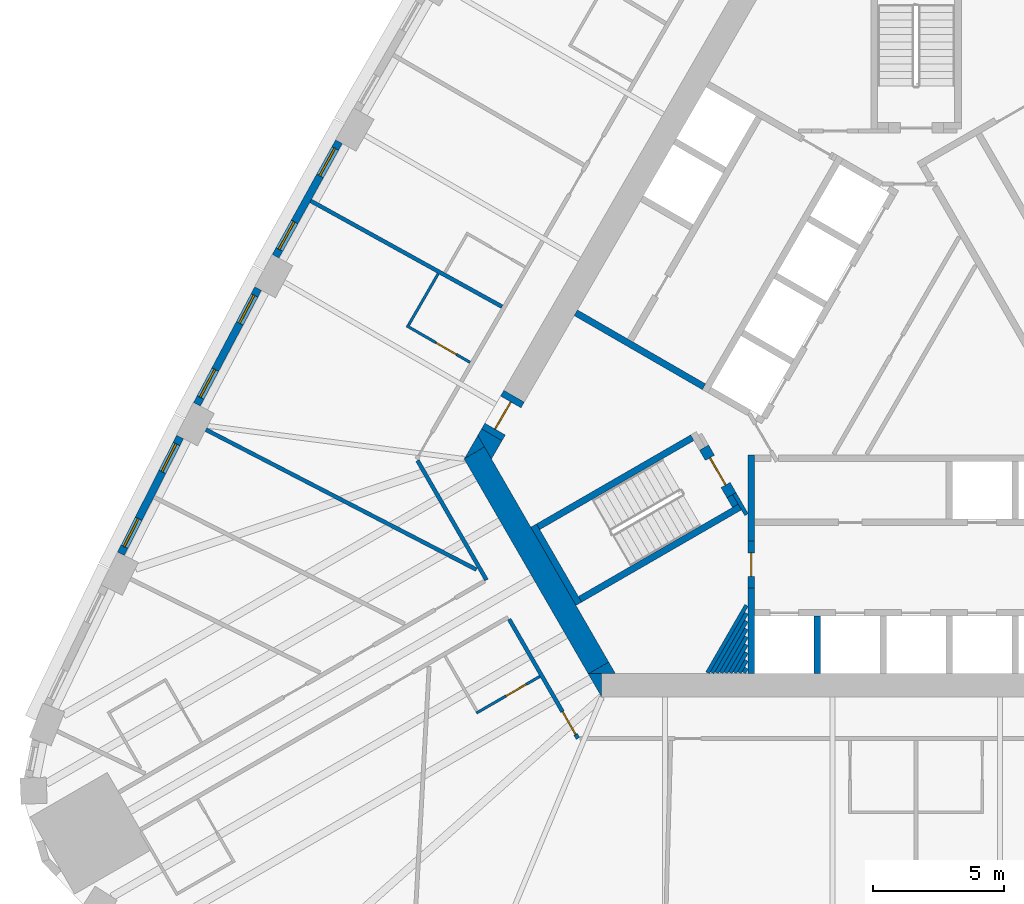
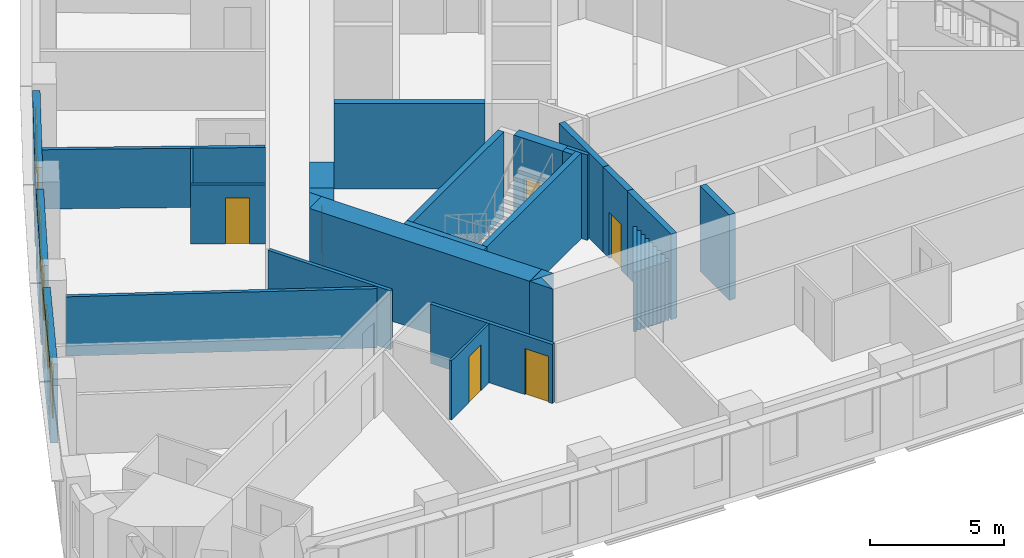
# One storey, part 4 of 12: 36 walls, 6 doors, 6 windows, 12 openings.
"""IFC4 building model written with IfcOpenShell, lengths in metres."""

from ifc_helpers import new_model, si_unit, direction, frame, frame_2d, origin, place, context, subcontext, project, spatial, polyline, rectangle, outline, extrude, material, layer, layer_set, type_object, element, fill, save


model = new_model("IFC4")

# Units and contexts
model_context = context("Model", 3, precision=1e-05, world=origin(), true_north=direction((0.0, 1.0)))
body_context = subcontext(model_context, "Body", "Model", "MODEL_VIEW")
ifc_project = project(units=[si_unit("LENGTHUNIT", "METRE"), si_unit("AREAUNIT", "SQUARE_METRE"), si_unit("VOLUMEUNIT", "CUBIC_METRE"), si_unit("PLANEANGLEUNIT", "RADIAN"), si_unit("MASSUNIT", "GRAM", prefix="KILO")], contexts=[model_context])

# Site, building, storey
site_placement = place(None, origin())
site = spatial("IfcSite", under=ifc_project, at=site_placement, CompositionType="ELEMENT")
building_placement = place(site_placement, origin())
building = spatial("IfcBuilding", under=site, at=building_placement, Name="Mestral Congress Tower", CompositionType="ELEMENT")
storey_placement = place(building_placement, frame((0.0, 0.0, 74.39990234375)))
storey = spatial("IfcBuildingStorey", under=building, at=storey_placement, Name="L17", CompositionType="ELEMENT", Elevation=74.39990234375)

# Walls
ifc_material_1 = material(Name="Fire-rated board partition")
ifc_layer_1 = layer(ifc_material_1, 0.14990234375)
ifc_layer_set_1 = layer_set([ifc_layer_1], Name="Fire-rated board partition")
wall_type_1 = type_object("IfcWallType", Name="Core partition 150", PredefinedType="PARTITIONING", material=ifc_layer_set_1)
wall_1_placement = place(storey_placement, frame((-7.967529296875, -12.068115234375, 0.0), z_axis=(0.0, 0.0, 1.0), x_axis=(0.500013701029, 0.866017493347, 0.0)))
element("IfcWall", 1, at=wall_1_placement, inside=storey, type_object=wall_type_1, Name="L17 core wall", PredefinedType="PARTITIONING", context=body_context, shape_type="SweptSolid", body=[
    extrude(rectangle(XDim=2.97509765625, YDim=0.14990234375, at=frame_2d((1.487548828125, 0.0))), origin(), (0.0, 0.0, 1.0), 2.7001953125),
])
wall_2_placement = place(storey_placement, frame((-7.794189453125, -12.068115234375, 0.0), z_axis=(0.0, 0.0, 1.0), x_axis=(0.499985098601, 0.86603400694, 0.0)))
element("IfcWall", 2, at=wall_2_placement, inside=storey, type_object=wall_type_1, Name="L17 core wall", PredefinedType="PARTITIONING", context=body_context, shape_type="SweptSolid", body=[
    extrude(rectangle(XDim=2.62841796875, YDim=0.14990234375, at=frame_2d((1.314208984375, 0.0))), origin(), (0.0, 0.0, 1.0), 2.7001953125),
])
wall_3_placement = place(storey_placement, frame((-7.62109375, -12.068115234375, 0.0), z_axis=(0.0, 0.0, 1.0), x_axis=(0.500028047758, 0.866009209798, 0.0)))
element("IfcWall", 3, at=wall_3_placement, inside=storey, type_object=wall_type_1, Name="L17 core wall", PredefinedType="PARTITIONING", context=body_context, shape_type="SweptSolid", body=[
    extrude(rectangle(XDim=2.281982421875, YDim=0.14990234375, at=frame_2d((1.14111328125, 0.0))), origin(), (0.0, 0.0, 1.0), 2.7001953125),
])
wall_4_placement = place(storey_placement, frame((-7.447998046875, -12.068115234375, 0.0), z_axis=(0.0, 0.0, 1.0), x_axis=(0.500031751504, 0.866007071269, 0.0)))
element("IfcWall", 4, at=wall_4_placement, inside=storey, type_object=wall_type_1, Name="L17 core wall", PredefinedType="PARTITIONING", context=body_context, shape_type="SweptSolid", body=[
    extrude(rectangle(XDim=1.935791015625, YDim=0.14990234375, at=frame_2d((0.9677734375, 0.0))), origin(), (0.0, 0.0, 1.0), 2.7001953125),
])
wall_5_placement = place(storey_placement, frame((-7.274658203125, -12.068115234375, 0.0), z_axis=(0.0, 0.0, 1.0), x_axis=(0.499988385283, 0.86603210944, 0.0)))
element("IfcWall", 5, at=wall_5_placement, inside=storey, type_object=wall_type_1, Name="L17 core wall", PredefinedType="PARTITIONING", context=body_context, shape_type="SweptSolid", body=[
    extrude(rectangle(XDim=1.58935546875, YDim=0.14990234375, at=frame_2d((0.794677734375, 0.0))), origin(), (0.0, 0.0, 1.0), 2.7001953125),
])
wall_6_placement = place(storey_placement, frame((-7.1015625, -12.068115234375, 0.0), z_axis=(0.0, 0.0, 1.0), x_axis=(0.500068153333, 0.865986051864, 0.0)))
element("IfcWall", 6, at=wall_6_placement, inside=storey, type_object=wall_type_1, Name="L17 core wall", PredefinedType="PARTITIONING", context=body_context, shape_type="SweptSolid", body=[
    extrude(rectangle(XDim=1.242919921875, YDim=0.14990234375, at=frame_2d((0.62158203125, 0.0))), origin(), (0.0, 0.0, 1.0), 2.7001953125),
])
wall_7_placement = place(storey_placement, frame((-6.92822265625, -12.068115234375, 0.0), z_axis=(0.0, 0.0, 1.0), x_axis=(0.500005339912, 0.866022320763, 0.0)))
element("IfcWall", 7, at=wall_7_placement, inside=storey, type_object=wall_type_1, Name="L17 core wall", PredefinedType="PARTITIONING", context=body_context, shape_type="SweptSolid", body=[
    extrude(rectangle(XDim=0.896484375, YDim=0.14990234375, at=frame_2d((0.4482421875, 0.0))), origin(), (0.0, 0.0, 1.0), 2.7001953125),
])
wall_8_placement = place(storey_placement, frame((-6.755126953125, -12.068115234375, 0.0), z_axis=(0.0, 0.0, 1.0), x_axis=(0.500196256984, 0.865912065108, 0.0)))
element("IfcWall", 8, at=wall_8_placement, inside=storey, type_object=wall_type_1, Name="L17 core wall", PredefinedType="PARTITIONING", context=body_context, shape_type="SweptSolid", body=[
    extrude(rectangle(XDim=0.550048828125, YDim=0.14990234375, at=frame_2d((0.27490234375, 0.0))), origin(), (0.0, 0.0, 1.0), 2.7001953125),
])
wall_9_placement = place(storey_placement, frame((-6.581787109375, -12.068115234375, 0.0), z_axis=(0.0, 0.0, 1.0), x_axis=(0.499618727529, 0.866245419672, 0.0)))
element("IfcWall", 9, at=wall_9_placement, inside=storey, type_object=wall_type_1, Name="L17 core wall", PredefinedType="PARTITIONING", context=body_context, shape_type="SweptSolid", body=[
    extrude(rectangle(XDim=0.203857421875, YDim=0.14990234375, at=frame_2d((0.10205078125, 0.0))), origin(), (0.0, 0.0, 1.0), 2.7001953125),
])
ifc_material_2 = material(Name="Concrete C60/75", Category="concrete")
ifc_layer_2 = layer(ifc_material_2, 0.89990234375)
ifc_layer_set_2 = layer_set([ifc_layer_2], Name="Concrete C60/75")
wall_type_2 = type_object("IfcWallType", Name="Core wall RC 900", PredefinedType="SOLIDWALL", material=ifc_layer_set_2)
placement = place(storey_placement, origin())
element("IfcWall", 10, at=placement, inside=storey, type_object=wall_type_2, Name="L17 core wall", PredefinedType="SOLIDWALL", context=body_context, shape_type="SweptSolid", body=[
    extrude(outline(polyline([(-12.528564453125, -12.10009765625), (-12.0205078125, -12.10009765625), (-12.0205078125, -12.97998046875), (-12.528564453125, -12.10009765625)])), origin(), (0.0, 0.0, 1.0), 3.900146484375),
])
wall_11_placement = place(storey_placement, frame((-12.134033203125, -11.88330078125, 0.0), z_axis=(0.0, 0.0, 1.0), x_axis=(-0.500005339912, 0.866022320763, 0.0)))
element("IfcWall", 11, at=wall_11_placement, inside=storey, type_object=wall_type_2, Name="L17 core wall", PredefinedType="SOLIDWALL", context=body_context, shape_type="SweptSolid", body=[
    extrude(rectangle(XDim=9.48779296875, YDim=0.89990234375, at=frame_2d((4.743896484375, 0.0))), origin(), (0.0, 0.0, 1.0), 3.900146484375),
])
element("IfcWall", 12, at=placement, inside=storey, type_object=wall_type_2, Name="L17 core wall", PredefinedType="SOLIDWALL", context=body_context, shape_type="SweptSolid", body=[
    extrude(outline(polyline([(-16.4892578125, -3.43994140625), (-17.251220703125, -3.8798828125), (-16.7431640625, -3.0), (-16.4892578125, -3.43994140625)])), origin(), (0.0, 0.0, 1.0), 3.900146484375),
])
element("IfcWall", 13, at=placement, inside=storey, type_object=wall_type_2, Name="L17 core wall", PredefinedType="SOLIDWALL", context=body_context, shape_type="SweptSolid", body=[
    extrude(outline(polyline([(-11.4892578125, -12.10009765625), (-12.50537109375, -12.10009765625), (-11.743408203125, -11.66015625), (-11.4892578125, -12.10009765625)])), origin(), (0.0, 0.0, 1.0), 3.900146484375),
])
element("IfcWall", 14, at=placement, inside=storey, type_object=wall_type_2, Name="L17 core wall", PredefinedType="SOLIDWALL", context=body_context, shape_type="SweptSolid", body=[
    extrude(outline(polyline([(-15.81982421875, -3.20068359375), (-16.223388671875, -3.89990234375), (-16.7431640625, -3.0), (-16.599365234375, -2.750732421875), (-15.81982421875, -3.20068359375)])), origin(), (0.0, 0.0, 1.0), 3.900146484375),
])

# Wall, opening, door
wall_15_placement = place(storey_placement, frame((-16.20947265625, -2.9755859375, 0.0), z_axis=(0.0, 0.0, 1.0), x_axis=(0.499954529098, 0.86605165483, 0.0)))
wall_15 = element("IfcWall", 15, at=wall_15_placement, inside=storey, type_object=wall_type_2, Name="L17 door wall", PredefinedType="SOLIDWALL", context=body_context, shape_type="SweptSolid", body=[
    extrude(rectangle(XDim=1.699951171875, YDim=0.89990234375, at=frame_2d((0.85009765625, 0.0))), origin(), (0.0, 0.0, 1.0), 3.900146484375),
])
opening_1_placement = place(wall_15_placement, frame((0.25, 0.0, 0.0)))
opening_1 = element("IfcOpeningElement", 16, at=opening_1_placement, cuts=wall_15, Name="Opening XD3", PredefinedType="OPENING", context=body_context, shape_type="SweptSolid", body=[
    extrude(rectangle(XDim=1.199951171875, YDim=2.10009765625, at=frame_2d((0.60009765625, 1.050048828125))), frame((0.0, 0.4599609375, 0.0), z_axis=(0.0, -1.0, 0.0), x_axis=(1.0, 0.0, 0.0)), (0.0, 0.0, 1.0), 0.919921875),
])
ifc_material_3 = material(Name="Fire-rated steel door set", Category="steel")
door_type_1 = type_object("IfcDoorType", Name="Core door XD 1200x2100", OperationType="SINGLE_SWING_LEFT", PredefinedType="DOOR", material=ifc_material_3)
door_1_placement = place(opening_1_placement, origin())
door_1 = element("IfcDoor", 17, at=door_1_placement, inside=storey, type_object=door_type_1, Name="Door XD3", OperationType="SINGLE_SWING_LEFT", OverallHeight=2.10009765625, OverallWidth=1.199951171875, PredefinedType="DOOR", context=body_context, shape_type="SweptSolid", body=[
    extrude(rectangle(XDim=1.199951171875, YDim=2.10009765625, at=frame_2d((0.60009765625, 1.050048828125))), frame((0.0, 0.02490234375, 0.0), z_axis=(0.0, -1.0, 0.0), x_axis=(1.0, 0.0, 0.0)), (0.0, 0.0, 1.0), 0.050048828125),
])
fill(opening_1, door_1)

# Wall, openings, windows
ifc_material_4 = material(Name="Precast concrete C40/50 with limestone facing", Category="masonry")
ifc_layer_3 = layer(ifc_material_4, 0.2900390625)
ifc_layer_set_3 = layer_set([ifc_layer_3], Name="Precast concrete C40/50 with limestone facing")
wall_type_3 = type_object("IfcWallType", Name="Facade stone wall 290", PredefinedType="SOLIDWALL", material=ifc_layer_set_3)
wall_16_placement = place(storey_placement, frame((-22.049560546875, 8.2197265625, 0.0), z_axis=(0.0, 0.0, 1.0), x_axis=(-0.483912572871, -0.875116347589, 0.0)))
wall_16 = element("IfcWall", 18, at=wall_16_placement, inside=storey, type_object=wall_type_3, Name="Facade wall F2-05", PredefinedType="SOLIDWALL", context=body_context, shape_type="SweptSolid", body=[
    extrude(rectangle(XDim=4.998291015625, YDim=0.2900390625, at=frame_2d((2.4990234375, 0.0))), origin(), (0.0, 0.0, 1.0), 3.60009765625),
])
opening_2_placement = place(wall_16_placement, frame((0.297119140625, 0.0, 0.89990234375)))
opening_2 = element("IfcOpeningElement", 19, at=opening_2_placement, cuts=wall_16, Name="Opening W1", PredefinedType="OPENING", context=body_context, shape_type="SweptSolid", body=[
    extrude(rectangle(XDim=1.199951171875, YDim=2.14990234375, at=frame_2d((0.60009765625, 1.074951171875))), frame((0.0, 0.155029296875, 0.0), z_axis=(0.0, -1.0, 0.0), x_axis=(1.0, 0.0, 0.0)), (0.0, 0.0, 1.0), 0.31005859375),
])
opening_3_placement = place(wall_16_placement, frame((3.501220703125, 0.0, 0.89990234375)))
opening_3 = element("IfcOpeningElement", 20, at=opening_3_placement, cuts=wall_16, Name="Opening W1", PredefinedType="OPENING", context=body_context, shape_type="SweptSolid", body=[
    extrude(rectangle(XDim=1.199951171875, YDim=2.14990234375, at=frame_2d((0.60009765625, 1.074951171875))), frame((0.0, 0.155029296875, 0.0), z_axis=(0.0, -1.0, 0.0), x_axis=(1.0, 0.0, 0.0)), (0.0, 0.0, 1.0), 0.31005859375),
])
ifc_material_5 = material(Name="Clear low-emissivity double glazing", Category="glass")
window_type = type_object("IfcWindowType", Name="Facade punched window 1200 x 2150 sill 900", PartitioningType="DOUBLE_PANEL_VERTICAL", PredefinedType="WINDOW", material=ifc_material_5)
window_1_placement = place(opening_2_placement, origin())
window_1 = element("IfcWindow", 21, at=window_1_placement, inside=storey, type_object=window_type, Name="Window F2-05a", OverallHeight=2.14990234375, OverallWidth=1.199951171875, PartitioningType="DOUBLE_PANEL_VERTICAL", PredefinedType="WINDOW", context=body_context, shape_type="SweptSolid", body=[
    extrude(rectangle(XDim=1.199951171875, YDim=2.14990234375, at=frame_2d((0.60009765625, 1.074951171875))), frame((0.0, 0.01513671875, 0.0), z_axis=(0.0, -1.0, 0.0), x_axis=(1.0, 0.0, 0.0)), (0.0, 0.0, 1.0), 0.06005859375),
])
fill(opening_2, window_1)
window_2_placement = place(opening_3_placement, origin())
window_2 = element("IfcWindow", 22, at=window_2_placement, inside=storey, type_object=window_type, Name="Window F2-05b", OverallHeight=2.14990234375, OverallWidth=1.199951171875, PartitioningType="DOUBLE_PANEL_VERTICAL", PredefinedType="WINDOW", context=body_context, shape_type="SweptSolid", body=[
    extrude(rectangle(XDim=1.199951171875, YDim=2.14990234375, at=frame_2d((0.60009765625, 1.074951171875))), frame((0.0, 0.01513671875, 0.0), z_axis=(0.0, -1.0, 0.0), x_axis=(1.0, 0.0, 0.0)), (0.0, 0.0, 1.0), 0.06005859375),
])
fill(opening_3, window_2)

wall_17_placement = place(storey_placement, frame((-25.1376953125, 2.60791015625, 0.0), z_axis=(0.0, 0.0, 1.0), x_axis=(-0.467629620899, -0.883924509026, 0.0)))
wall_17 = element("IfcWall", 23, at=wall_17_placement, inside=storey, type_object=wall_type_3, Name="Facade wall F2-06", PredefinedType="SOLIDWALL", context=body_context, shape_type="SweptSolid", body=[
    extrude(rectangle(XDim=4.998291015625, YDim=0.2900390625, at=frame_2d((2.4990234375, 0.0))), origin(), (0.0, 0.0, 1.0), 3.60009765625),
])
opening_4_placement = place(wall_17_placement, frame((0.297119140625, 0.0, 0.89990234375)))
opening_4 = element("IfcOpeningElement", 24, at=opening_4_placement, cuts=wall_17, Name="Opening W1", PredefinedType="OPENING", context=body_context, shape_type="SweptSolid", body=[
    extrude(rectangle(XDim=1.199951171875, YDim=2.14990234375, at=frame_2d((0.60009765625, 1.074951171875))), frame((0.0, 0.155029296875, 0.0), z_axis=(0.0, -1.0, 0.0), x_axis=(1.0, 0.0, 0.0)), (0.0, 0.0, 1.0), 0.31005859375),
])
opening_5_placement = place(wall_17_placement, frame((3.501220703125, 0.0, 0.89990234375)))
opening_5 = element("IfcOpeningElement", 25, at=opening_5_placement, cuts=wall_17, Name="Opening W1", PredefinedType="OPENING", context=body_context, shape_type="SweptSolid", body=[
    extrude(rectangle(XDim=1.199951171875, YDim=2.14990234375, at=frame_2d((0.60009765625, 1.074951171875))), frame((0.0, 0.155029296875, 0.0), z_axis=(0.0, -1.0, 0.0), x_axis=(1.0, 0.0, 0.0)), (0.0, 0.0, 1.0), 0.31005859375),
])
window_3_placement = place(opening_4_placement, origin())
window_3 = element("IfcWindow", 26, at=window_3_placement, inside=storey, type_object=window_type, Name="Window F2-06a", OverallHeight=2.14990234375, OverallWidth=1.199951171875, PartitioningType="DOUBLE_PANEL_VERTICAL", PredefinedType="WINDOW", context=body_context, shape_type="SweptSolid", body=[
    extrude(rectangle(XDim=1.199951171875, YDim=2.14990234375, at=frame_2d((0.60009765625, 1.074951171875))), frame((0.0, 0.01513671875, 0.0), z_axis=(0.0, -1.0, 0.0), x_axis=(1.0, 0.0, 0.0)), (0.0, 0.0, 1.0), 0.06005859375),
])
fill(opening_4, window_3)
window_4_placement = place(opening_5_placement, origin())
window_4 = element("IfcWindow", 27, at=window_4_placement, inside=storey, type_object=window_type, Name="Window F2-06b", OverallHeight=2.14990234375, OverallWidth=1.199951171875, PartitioningType="DOUBLE_PANEL_VERTICAL", PredefinedType="WINDOW", context=body_context, shape_type="SweptSolid", body=[
    extrude(rectangle(XDim=1.199951171875, YDim=2.14990234375, at=frame_2d((0.60009765625, 1.074951171875))), frame((0.0, 0.01513671875, 0.0), z_axis=(0.0, -1.0, 0.0), x_axis=(1.0, 0.0, 0.0)), (0.0, 0.0, 1.0), 0.06005859375),
])
fill(opening_5, window_4)

wall_18_placement = place(storey_placement, frame((-28.12158203125, -3.06005859375, 0.0), z_axis=(0.0, 0.0, 1.0), x_axis=(-0.451233929645, -0.892405704115, 0.0)))
wall_18 = element("IfcWall", 28, at=wall_18_placement, inside=storey, type_object=wall_type_3, Name="Facade wall F2-07", PredefinedType="SOLIDWALL", context=body_context, shape_type="SweptSolid", body=[
    extrude(rectangle(XDim=4.998291015625, YDim=0.2900390625, at=frame_2d((2.4990234375, 0.0))), origin(), (0.0, 0.0, 1.0), 3.60009765625),
])
opening_6_placement = place(wall_18_placement, frame((0.297119140625, 0.0, 0.89990234375)))
opening_6 = element("IfcOpeningElement", 29, at=opening_6_placement, cuts=wall_18, Name="Opening W1", PredefinedType="OPENING", context=body_context, shape_type="SweptSolid", body=[
    extrude(rectangle(XDim=1.199951171875, YDim=2.14990234375, at=frame_2d((0.60009765625, 1.074951171875))), frame((0.0, 0.155029296875, 0.0), z_axis=(0.0, -1.0, 0.0), x_axis=(1.0, 0.0, 0.0)), (0.0, 0.0, 1.0), 0.31005859375),
])
opening_7_placement = place(wall_18_placement, frame((3.501220703125, 0.0, 0.89990234375)))
opening_7 = element("IfcOpeningElement", 30, at=opening_7_placement, cuts=wall_18, Name="Opening W1", PredefinedType="OPENING", context=body_context, shape_type="SweptSolid", body=[
    extrude(rectangle(XDim=1.199951171875, YDim=2.14990234375, at=frame_2d((0.60009765625, 1.074951171875))), frame((0.0, 0.155029296875, 0.0), z_axis=(0.0, -1.0, 0.0), x_axis=(1.0, 0.0, 0.0)), (0.0, 0.0, 1.0), 0.31005859375),
])
window_5_placement = place(opening_6_placement, origin())
window_5 = element("IfcWindow", 31, at=window_5_placement, inside=storey, type_object=window_type, Name="Window F2-07a", OverallHeight=2.14990234375, OverallWidth=1.199951171875, PartitioningType="DOUBLE_PANEL_VERTICAL", PredefinedType="WINDOW", context=body_context, shape_type="SweptSolid", body=[
    extrude(rectangle(XDim=1.199951171875, YDim=2.14990234375, at=frame_2d((0.60009765625, 1.074951171875))), frame((0.0, 0.01513671875, 0.0), z_axis=(0.0, -1.0, 0.0), x_axis=(1.0, 0.0, 0.0)), (0.0, 0.0, 1.0), 0.06005859375),
])
fill(opening_6, window_5)
window_6_placement = place(opening_7_placement, origin())
window_6 = element("IfcWindow", 32, at=window_6_placement, inside=storey, type_object=window_type, Name="Window F2-07b", OverallHeight=2.14990234375, OverallWidth=1.199951171875, PartitioningType="DOUBLE_PANEL_VERTICAL", PredefinedType="WINDOW", context=body_context, shape_type="SweptSolid", body=[
    extrude(rectangle(XDim=1.199951171875, YDim=2.14990234375, at=frame_2d((0.60009765625, 1.074951171875))), frame((0.0, 0.01513671875, 0.0), z_axis=(0.0, -1.0, 0.0), x_axis=(1.0, 0.0, 0.0)), (0.0, 0.0, 1.0), 0.06005859375),
])
fill(opening_7, window_6)

# Wall, opening, door
ifc_material_6 = material(Name="Gypsum board partition on metal studs with mineral wool", Category="composite")
ifc_layer_4 = layer(ifc_material_6, 0.10009765625)
ifc_layer_set_4 = layer_set([ifc_layer_4], Name="Gypsum board partition on metal studs with mineral wool")
wall_type_4 = type_object("IfcWallType", Name="Hotel partition wall 100", PredefinedType="PARTITIONING", material=ifc_layer_set_4)
wall_19_placement = place(storey_placement, frame((-16.797119140625, -13.6064453125, 0.0), z_axis=(0.0, 0.0, 1.0), x_axis=(0.866034573852, 0.49998411664, 0.0)))
wall_19 = element("IfcWall", 33, at=wall_19_placement, inside=storey, type_object=wall_type_4, Name="L17-h-pod02a", PredefinedType="PARTITIONING", context=body_context, shape_type="SweptSolid", body=[
    extrude(rectangle(XDim=2.7998046875, YDim=0.10009765625, at=frame_2d((1.39990234375, 0.0))), origin(), (0.0, 0.0, 1.0), 2.7001953125),
])
opening_8_placement = place(wall_19_placement, frame((1.300048828125, 0.0, 0.0)))
opening_8 = element("IfcOpeningElement", 34, at=opening_8_placement, cuts=wall_19, Name="Opening H05-004", PredefinedType="OPENING", context=body_context, shape_type="SweptSolid", body=[
    extrude(rectangle(XDim=0.89990234375, YDim=2.10009765625, at=frame_2d((0.449951171875, 1.050048828125))), frame((0.0, 0.06005859375, 0.0), z_axis=(0.0, -1.0, 0.0), x_axis=(1.0, 0.0, 0.0)), (0.0, 0.0, 1.0), 0.1201171875),
])
ifc_material_7 = material(Name="Timber veneer door leaf in timber frame", Category="wood")
door_type_2 = type_object("IfcDoorType", Name="Bathroom door 900", OperationType="SINGLE_SWING_LEFT", PredefinedType="DOOR", material=ifc_material_7)
door_2_placement = place(opening_8_placement, origin())
door_2 = element("IfcDoor", 35, at=door_2_placement, inside=storey, type_object=door_type_2, Name="L17-h-d004", OperationType="SINGLE_SWING_LEFT", OverallHeight=2.10009765625, OverallWidth=0.89990234375, PredefinedType="DOOR", context=body_context, shape_type="SweptSolid", body=[
    extrude(rectangle(XDim=0.89990234375, YDim=2.10009765625, at=frame_2d((0.449951171875, 1.050048828125))), frame((0.0, 0.02490234375, 0.0), z_axis=(0.0, -1.0, 0.0), x_axis=(1.0, 0.0, 0.0)), (0.0, 0.0, 1.0), 0.050048828125),
])
fill(opening_8, door_2)

wall_20_placement = place(storey_placement, frame((-19.462646484375, 1.189697265625, 0.0), z_axis=(0.0, 0.0, 1.0), x_axis=(0.866034573852, -0.49998411664, 0.0)))
wall_20 = element("IfcWall", 36, at=wall_20_placement, inside=storey, type_object=wall_type_4, Name="L17-h-pod20a", PredefinedType="PARTITIONING", context=body_context, shape_type="SweptSolid", body=[
    extrude(rectangle(XDim=2.7998046875, YDim=0.10009765625, at=frame_2d((1.39990234375, 0.0))), origin(), (0.0, 0.0, 1.0), 2.7001953125),
])
opening_9_placement = place(wall_20_placement, frame((1.300048828125, 0.0, 0.0)))
opening_9 = element("IfcOpeningElement", 37, at=opening_9_placement, cuts=wall_20, Name="Opening H05-037", PredefinedType="OPENING", context=body_context, shape_type="SweptSolid", body=[
    extrude(rectangle(XDim=0.89990234375, YDim=2.10009765625, at=frame_2d((0.449951171875, 1.050048828125))), frame((0.0, 0.06005859375, 0.0), z_axis=(0.0, -1.0, 0.0), x_axis=(1.0, 0.0, 0.0)), (0.0, 0.0, 1.0), 0.1201171875),
])
door_3_placement = place(opening_9_placement, origin())
door_3 = element("IfcDoor", 38, at=door_3_placement, inside=storey, type_object=door_type_2, Name="L17-h-d037", OperationType="SINGLE_SWING_LEFT", OverallHeight=2.10009765625, OverallWidth=0.89990234375, PredefinedType="DOOR", context=body_context, shape_type="SweptSolid", body=[
    extrude(rectangle(XDim=0.89990234375, YDim=2.10009765625, at=frame_2d((0.449951171875, 1.050048828125))), frame((0.0, 0.02490234375, 0.0), z_axis=(0.0, -1.0, 0.0), x_axis=(1.0, 0.0, 0.0)), (0.0, 0.0, 1.0), 0.050048828125),
])
fill(opening_9, door_3)

# Walls
wall_21_placement = place(storey_placement, frame((-19.389404296875, 1.216552734375, 0.0), z_axis=(0.0, 0.0, 1.0), x_axis=(0.49995000081, 0.866054268906, 0.0)))
element("IfcWall", 39, at=wall_21_placement, inside=storey, type_object=wall_type_4, Name="L17-h-pod20b", PredefinedType="PARTITIONING", context=body_context, shape_type="SweptSolid", body=[
    extrude(rectangle(XDim=2.260009765625, YDim=0.10009765625, at=frame_2d((1.1298828125, 0.0))), origin(), (0.0, 0.0, 1.0), 2.7001953125),
])
ifc_layer_5 = layer(ifc_material_6, 0.14990234375)
ifc_layer_set_5 = layer_set([ifc_layer_5], Name="Gypsum board partition on metal studs with mineral wool")
wall_type_5 = type_object("IfcWallType", Name="Hotel partition wall 150", PredefinedType="PARTITIONING", material=ifc_layer_set_5)
wall_22_placement = place(storey_placement, frame((-16.412353515625, -8.52294921875, 0.0), z_axis=(0.0, 0.0, 1.0), x_axis=(-0.500001929737, 0.866024289647, 0.0)))
element("IfcWall", 40, at=wall_22_placement, inside=storey, type_object=wall_type_5, Name="L17-h-cw09", PredefinedType="PARTITIONING", context=body_context, shape_type="SweptSolid", body=[
    extrude(rectangle(XDim=5.26806640625, YDim=0.14990234375, at=frame_2d((2.634033203125, 0.0))), origin(), (0.0, 0.0, 1.0), 2.7001953125),
])

# Wall, opening, door
wall_23_placement = place(storey_placement, frame((-12.918212890625, -14.574951171875, 0.0), z_axis=(0.0, 0.0, 1.0), x_axis=(-0.500009150678, 0.866020120573, 0.0)))
wall_23 = element("IfcWall", 41, at=wall_23_placement, inside=storey, type_object=wall_type_5, Name="L17-h-cw12", PredefinedType="PARTITIONING", context=body_context, shape_type="SweptSolid", body=[
    extrude(rectangle(XDim=5.25830078125, YDim=0.14990234375, at=frame_2d((2.629150390625, 0.0))), origin(), (0.0, 0.0, 1.0), 2.7001953125),
])
opening_10_placement = place(wall_23_placement, frame((0.179931640625, 0.0, 0.0)))
opening_10 = element("IfcOpeningElement", 42, at=opening_10_placement, cuts=wall_23, Name="Opening H05-003", PredefinedType="OPENING", context=body_context, shape_type="SweptSolid", body=[
    extrude(rectangle(XDim=1.0, YDim=2.10009765625, at=frame_2d((0.5, 1.050048828125))), frame((0.0, 0.0849609375, 0.0), z_axis=(0.0, -1.0, 0.0), x_axis=(1.0, 0.0, 0.0)), (0.0, 0.0, 1.0), 0.169921875),
])
ifc_material_8 = material(Name="Timber veneer door leaf in metal frame", Category="wood")
door_type_3 = type_object("IfcDoorType", Name="Guest room entrance door 1000", OperationType="SINGLE_SWING_LEFT", PredefinedType="DOOR", material=ifc_material_8)
door_4_placement = place(opening_10_placement, origin())
door_4 = element("IfcDoor", 43, at=door_4_placement, inside=storey, type_object=door_type_3, Name="L17-h-d003", OperationType="SINGLE_SWING_LEFT", OverallHeight=2.10009765625, OverallWidth=1.0, PredefinedType="DOOR", context=body_context, shape_type="SweptSolid", body=[
    extrude(rectangle(XDim=1.0, YDim=2.10009765625, at=frame_2d((0.5, 1.050048828125))), frame((0.0, 0.02490234375, 0.0), z_axis=(0.0, -1.0, 0.0), x_axis=(1.0, 0.0, 0.0)), (0.0, 0.0, 1.0), 0.050048828125),
])
fill(opening_10, door_4)

# Walls
wall_24_placement = place(storey_placement, frame((-27.133544921875, -2.779052734375, 0.0), z_axis=(0.0, 0.0, 1.0), x_axis=(0.8882049501, -0.459447457951, 0.0)))
element("IfcWall", 44, at=wall_24_placement, inside=storey, type_object=wall_type_5, Name="L17-h-pw05", PredefinedType="PARTITIONING", context=body_context, shape_type="SweptSolid", body=[
    extrude(rectangle(XDim=11.63818359375, YDim=0.14990234375, at=frame_2d((5.819091796875, 0.0))), origin(), (0.0, 0.0, 1.0), 2.7001953125),
])
wall_25_placement = place(storey_placement, frame((-23.1318359375, 5.96240234375, 0.0), z_axis=(0.0, 0.0, 1.0), x_axis=(0.875121716713, -0.483902863121, 0.0)))
element("IfcWall", 45, at=wall_25_placement, inside=storey, type_object=wall_type_5, Name="L17-h-pw06", PredefinedType="PARTITIONING", context=body_context, shape_type="SweptSolid", body=[
    extrude(rectangle(XDim=8.35546875, YDim=0.14990234375, at=frame_2d((4.177734375, 0.0))), origin(), (0.0, 0.0, 1.0), 2.7001953125),
])
ifc_layer_6 = layer(ifc_material_2, 0.25)
ifc_layer_set_6 = layer_set([ifc_layer_6], Name="Concrete C60/75")
wall_type_6 = type_object("IfcWallType", Name="Shaft wall RC 250", PredefinedType="SOLIDWALL", material=ifc_layer_set_6)
wall_26_placement = place(storey_placement, frame((-3.780029296875, -12.10009765625, 0.0), z_axis=(0.0, 0.0, 1.0), x_axis=(0.0, 1.0, 0.0)))
element("IfcWall", 46, at=wall_26_placement, inside=storey, type_object=wall_type_6, Name="L17 core wall", PredefinedType="SOLIDWALL", context=body_context, shape_type="SweptSolid", body=[
    extrude(rectangle(XDim=2.199951171875, YDim=0.25, at=frame_2d((1.10009765625, 0.0))), origin(), (0.0, 0.0, 1.0), 3.900146484375),
])
wall_27_placement = place(storey_placement, frame((-6.300048828125, -12.10009765625, 0.0), z_axis=(0.0, 0.0, 1.0), x_axis=(0.0, 1.0, 0.0)))
element("IfcWall", 47, at=wall_27_placement, inside=storey, type_object=wall_type_6, Name="L17 core wall", PredefinedType="SOLIDWALL", context=body_context, shape_type="SweptSolid", body=[
    extrude(rectangle(XDim=3.2646484375, YDim=0.25, at=frame_2d((1.63232421875, 0.0))), origin(), (0.0, 0.0, 1.0), 3.900146484375),
])
wall_28_placement = place(storey_placement, frame((-6.300048828125, -7.03515625, 0.0), z_axis=(0.0, 0.0, 1.0), x_axis=(0.0, 1.0, 0.0)))
element("IfcWall", 48, at=wall_28_placement, inside=storey, type_object=wall_type_6, Name="L17 core wall", PredefinedType="SOLIDWALL", context=body_context, shape_type="SweptSolid", body=[
    extrude(rectangle(XDim=3.28515625, YDim=0.25, at=frame_2d((1.642578125, 0.0))), origin(), (0.0, 0.0, 1.0), 3.900146484375),
])
wall_29_placement = place(storey_placement, frame((-8.10595703125, -1.139892578125, 0.0), z_axis=(0.0, 0.0, 1.0), x_axis=(-0.866000643155, 0.500042884217, 0.0)))
element("IfcWall", 49, at=wall_29_placement, inside=storey, type_object=wall_type_6, Name="L17 core wall", PredefinedType="SOLIDWALL", context=body_context, shape_type="SweptSolid", body=[
    extrude(rectangle(XDim=5.64990234375, YDim=0.25, at=frame_2d((2.824951171875, 0.0))), origin(), (0.0, 0.0, 1.0), 3.900146484375),
])

# Wall, opening, door
wall_30_placement = place(storey_placement, frame((-6.300048828125, -7.035400390625, 0.0), z_axis=(0.0, 0.0, 1.0), x_axis=(0.0, -1.0, 0.0)))
wall_30 = element("IfcWall", 50, at=wall_30_placement, inside=storey, type_object=wall_type_6, Name="L17 door wall", PredefinedType="SOLIDWALL", context=body_context, shape_type="SweptSolid", body=[
    extrude(rectangle(XDim=1.7998046875, YDim=0.25, at=frame_2d((0.89990234375, 0.0))), origin(), (0.0, 0.0, 1.0), 3.900146484375),
])
opening_11_placement = place(wall_30_placement, frame((0.449951171875, 0.0, 0.0)))
opening_11 = element("IfcOpeningElement", 51, at=opening_11_placement, cuts=wall_30, Name="Opening TD3", PredefinedType="OPENING", context=body_context, shape_type="SweptSolid", body=[
    extrude(rectangle(XDim=0.89990234375, YDim=2.10009765625, at=frame_2d((0.449951171875, 1.050048828125))), frame((0.0, 0.135009765625, 0.0), z_axis=(0.0, -1.0, 0.0), x_axis=(1.0, 0.0, 0.0)), (0.0, 0.0, 1.0), 0.27001953125),
])
door_type_4 = type_object("IfcDoorType", Name="Core door SR 900x2100", OperationType="SINGLE_SWING_LEFT", PredefinedType="DOOR", material=ifc_material_3)
door_5_placement = place(opening_11_placement, origin())
door_5 = element("IfcDoor", 52, at=door_5_placement, inside=storey, type_object=door_type_4, Name="Door TD3", OperationType="SINGLE_SWING_LEFT", OverallHeight=2.10009765625, OverallWidth=0.89990234375, PredefinedType="DOOR", context=body_context, shape_type="SweptSolid", body=[
    extrude(rectangle(XDim=0.89990234375, YDim=2.10009765625, at=frame_2d((0.449951171875, 1.050048828125))), frame((0.0, 0.02490234375, 0.0), z_axis=(0.0, -1.0, 0.0), x_axis=(1.0, 0.0, 0.0)), (0.0, 0.0, 1.0), 0.050048828125),
])
fill(opening_11, door_5)

# Walls
ifc_layer_7 = layer(ifc_material_2, 0.14990234375)
ifc_layer_set_7 = layer_set([ifc_layer_7], Name="Concrete C60/75")
wall_type_7 = type_object("IfcWallType", Name="Shaft wall RC 250 door-wall 150", PredefinedType="SOLIDWALL", material=ifc_layer_set_7)
wall_31_placement = place(storey_placement, frame((-6.48046875, -6.026611328125, 0.0), z_axis=(0.0, 0.0, 1.0), x_axis=(-0.499927229454, 0.866067413802, 0.0)))
element("IfcWall", 53, at=wall_31_placement, inside=storey, type_object=wall_type_7, Name="L17 core wall", PredefinedType="PARTITIONING", context=body_context, shape_type="SweptSolid", body=[
    extrude(rectangle(XDim=0.928955078125, YDim=0.14990234375, at=frame_2d((0.46435546875, 0.0))), origin(), (0.0, 0.0, 1.0), 3.900146484375),
])
ifc_layer_8 = layer(ifc_material_2, 0.25)
ifc_layer_set_8 = layer_set([ifc_layer_8], Name="Concrete C60/75")
wall_type_8 = type_object("IfcWallType", Name="Stair wall RC 250", PredefinedType="SOLIDWALL", material=ifc_layer_set_8)
wall_32_placement = place(storey_placement, frame((-12.885498046875, -9.431396484375, 0.0), z_axis=(0.0, 0.0, 1.0), x_axis=(-0.500020560727, 0.866013532718, 0.0)))
element("IfcWall", 54, at=wall_32_placement, inside=storey, type_object=wall_type_8, Name="L17 core wall", PredefinedType="SOLIDWALL", context=body_context, shape_type="SweptSolid", body=[
    extrude(rectangle(XDim=3.449951171875, YDim=0.25, at=frame_2d((1.72509765625, 0.0))), origin(), (0.0, 0.0, 1.0), 3.900146484375),
])
wall_33_placement = place(storey_placement, frame((-14.43994140625, -6.489501953125, 0.0), z_axis=(0.0, 0.0, 1.0), x_axis=(0.866022966069, 0.500004222222, 0.0)))
element("IfcWall", 55, at=wall_33_placement, inside=storey, type_object=wall_type_8, Name="L17 core wall", PredefinedType="SOLIDWALL", context=body_context, shape_type="SweptSolid", body=[
    extrude(rectangle(XDim=6.80029296875, YDim=0.25, at=frame_2d((3.400146484375, 0.0))), origin(), (0.0, 0.0, 1.0), 3.900146484375),
])
wall_34_placement = place(storey_placement, frame((-12.83984375, -9.2607421875, 0.0), z_axis=(0.0, 0.0, 1.0), x_axis=(0.866016039709, 0.500016218704, 0.0)))
element("IfcWall", 56, at=wall_34_placement, inside=storey, type_object=wall_type_8, Name="L17 core wall", PredefinedType="SOLIDWALL", context=body_context, shape_type="SweptSolid", body=[
    extrude(rectangle(XDim=7.050048828125, YDim=0.25, at=frame_2d((3.52490234375, 0.0))), origin(), (0.0, 0.0, 1.0), 3.900146484375),
])
wall_35_placement = place(storey_placement, frame((-6.905029296875, -5.68994140625, 0.0), z_axis=(0.0, 0.0, 1.0), x_axis=(-0.500402024738, 0.865793170242, 0.0)))
element("IfcWall", 57, at=wall_35_placement, inside=storey, type_object=wall_type_8, Name="L17 core wall", PredefinedType="SOLIDWALL", context=body_context, shape_type="SweptSolid", body=[
    extrude(rectangle(XDim=0.425048828125, YDim=0.25, at=frame_2d((0.21240234375, 0.0))), origin(), (0.0, 0.0, 1.0), 3.900146484375),
])

# Wall, opening, door
ifc_layer_9 = layer(ifc_material_2, 0.39990234375)
ifc_layer_set_9 = layer_set([ifc_layer_9], Name="Concrete C60/75")
wall_type_9 = type_object("IfcWallType", Name="Stair wall RC 250 door-wall 400", PredefinedType="SOLIDWALL", material=ifc_layer_set_9)
wall_36_placement = place(storey_placement, frame((-8.102783203125, -3.4658203125, 0.0), z_axis=(0.0, 0.0, 1.0), x_axis=(0.500078061341, -0.865980330357, 0.0)))
wall_36 = element("IfcWall", 58, at=wall_36_placement, inside=storey, type_object=wall_type_9, Name="L17 door wall", PredefinedType="SOLIDWALL", context=body_context, shape_type="SweptSolid", body=[
    extrude(rectangle(XDim=2.099853515625, YDim=0.39990234375, at=frame_2d((1.0498046875, 0.0))), origin(), (0.0, 0.0, 1.0), 3.900146484375),
])
opening_12_placement = place(wall_36_placement, frame((0.449951171875, 0.0, 0.0)))
opening_12 = element("IfcOpeningElement", 59, at=opening_12_placement, cuts=wall_36, Name="Opening ST-D3", PredefinedType="OPENING", context=body_context, shape_type="SweptSolid", body=[
    extrude(rectangle(XDim=1.199951171875, YDim=2.10009765625, at=frame_2d((0.60009765625, 1.050048828125))), frame((0.0, 0.2099609375, 0.0), z_axis=(0.0, -1.0, 0.0), x_axis=(1.0, 0.0, 0.0)), (0.0, 0.0, 1.0), 0.419921875),
])
door_type_5 = type_object("IfcDoorType", Name="Core door ST 1200x2100", OperationType="SINGLE_SWING_LEFT", PredefinedType="DOOR", material=ifc_material_3)
door_6_placement = place(opening_12_placement, origin())
door_6 = element("IfcDoor", 60, at=door_6_placement, inside=storey, type_object=door_type_5, Name="Door ST-D3", OperationType="SINGLE_SWING_LEFT", OverallHeight=2.10009765625, OverallWidth=1.199951171875, PredefinedType="DOOR", context=body_context, shape_type="SweptSolid", body=[
    extrude(rectangle(XDim=1.199951171875, YDim=2.10009765625, at=frame_2d((0.60009765625, 1.050048828125))), frame((0.0, 0.02490234375, 0.0), z_axis=(0.0, -1.0, 0.0), x_axis=(1.0, 0.0, 0.0)), (0.0, 0.0, 1.0), 0.050048828125),
])
fill(opening_12, door_6)

save(model, "model.ifc")
